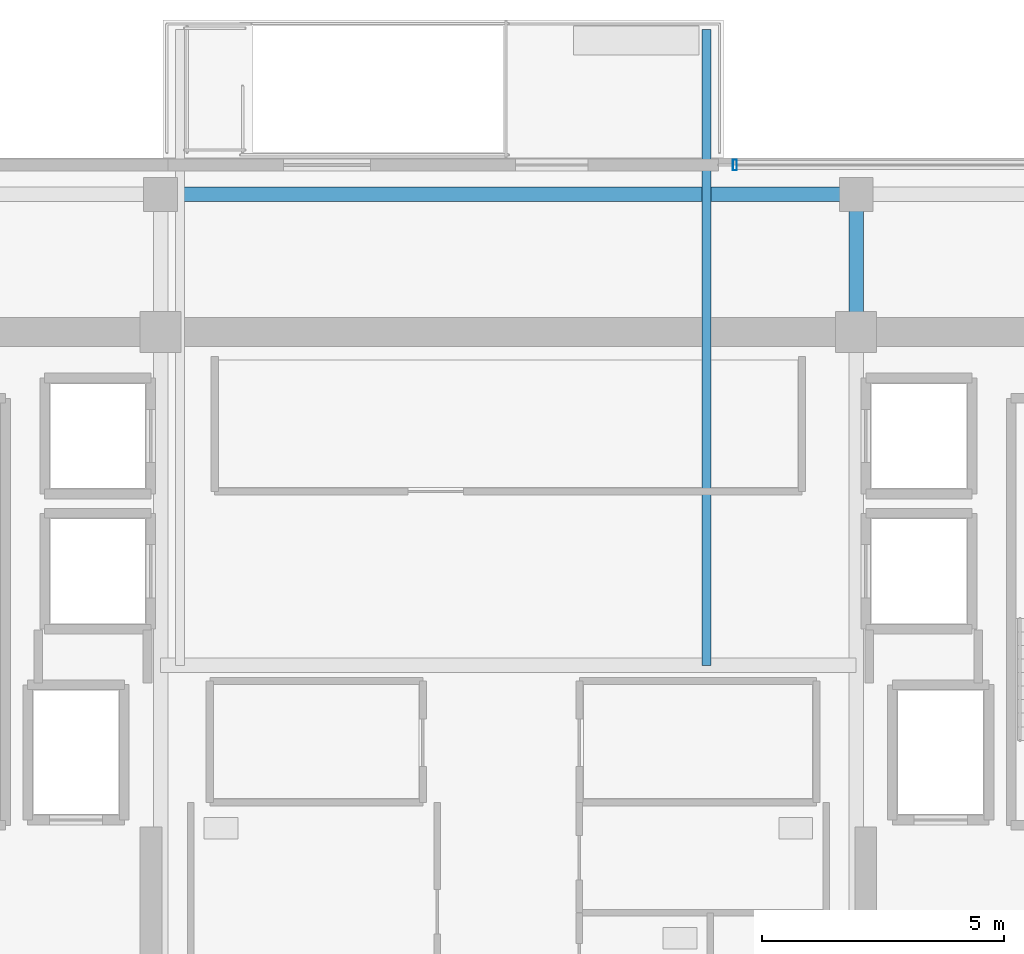
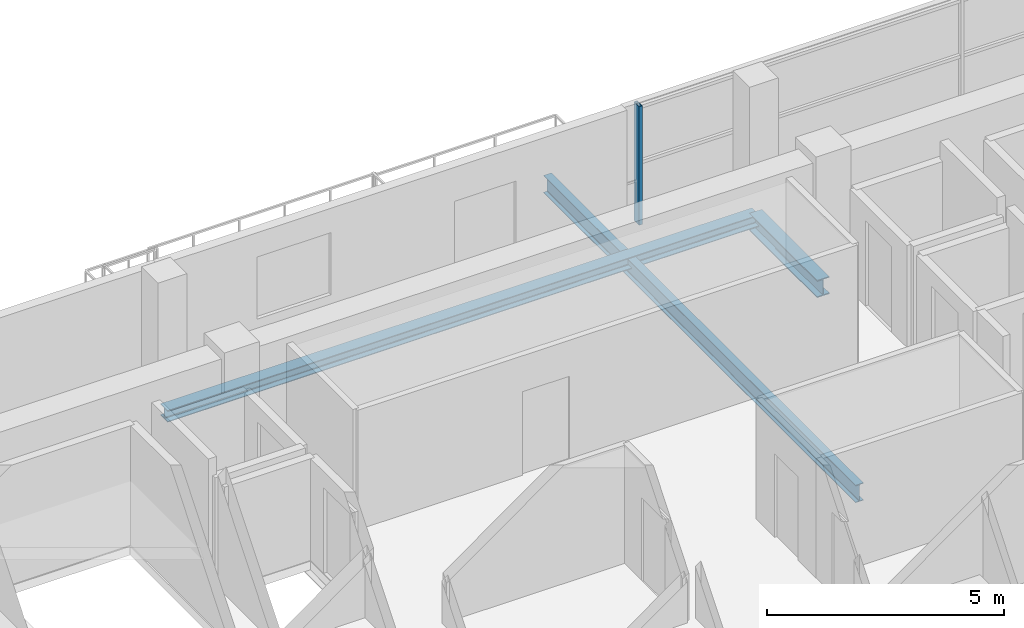
# One storey, part 12 of 24: 3 beams, 1 member, 1 element without a shape of its own.
"""IFC4 building model written with IfcOpenShell, lengths in metres."""

from ifc_helpers import new_model, si_unit, direction, frame, origin, origin_2d, place, context, subcontext, project, spatial, hollow_rectangle, i_section, extrude, source, transform, mapped, material, layer, layer_set, material_profile, profile_set, type_object, element, aggregate, save


model = new_model("IFC4")

# Units and contexts
model_context = context("Model", 3, precision=1e-05, world=origin(), true_north=direction((0.0, 1.0)))
body_context = subcontext(model_context, "Body", "Model", "MODEL_VIEW")
ifc_project = project(units=[si_unit("LENGTHUNIT", "METRE"), si_unit("AREAUNIT", "SQUARE_METRE"), si_unit("VOLUMEUNIT", "CUBIC_METRE"), si_unit("PLANEANGLEUNIT", "RADIAN"), si_unit("MASSUNIT", "GRAM", prefix="KILO")], contexts=[model_context])

# Site, building, storey
site_placement = place(None, origin())
site = spatial("IfcSite", under=ifc_project, at=site_placement, CompositionType="ELEMENT")
building_placement = place(site_placement, origin())
building = spatial("IfcBuilding", under=site, at=building_placement, Name="Zarnakvel Exchange Tower", CompositionType="ELEMENT")
storey_placement = place(building_placement, frame((0.0, 0.0, 235.300048828125)))
storey = spatial("IfcBuildingStorey", under=building, at=storey_placement, Name="L66", CompositionType="ELEMENT", Elevation=235.300048828125)

# Beams
ifc_material_1 = material(Name="Steel S355", Category="steel")
ifc_material_profile_1 = material_profile(ifc_material_1, i_section(OverallWidth=0.18994140625, OverallDepth=0.449951171875, WebThickness=0.009521484375, FlangeThickness=0.0146484375, FilletRadius=0.02099609375, at=origin_2d()))
ifc_profile_set_1 = profile_set([ifc_material_profile_1], Name="Steel S355")
beam_type_1 = type_object("IfcBeamType", Name="B-05", PredefinedType="JOIST", material=ifc_profile_set_1)
beam_1_placement = place(storey_placement, frame((4.10009765625, 6.60009765625, -0.47509765625), z_axis=(0.0, 1.0, 0.0), x_axis=(-1.0, 0.0, 0.0)))
element("IfcBeam", 1, at=beam_1_placement, inside=storey, type_object=beam_type_1, Name="L66 Continuous North Spiral Terrace Beam E", PredefinedType="JOIST", context=body_context, shape_type="SweptSolid", body=[
    extrude(i_section(OverallWidth=0.18994140625, OverallDepth=0.449951171875, WebThickness=0.009521484375, FlangeThickness=0.0146484375, FilletRadius=0.02099609375, at=origin_2d()), origin(), (0.0, 0.0, 1.0), 13.159912109375),
])
ifc_material_profile_2 = material_profile(ifc_material_1, i_section(OverallWidth=0.300048828125, OverallDepth=0.449951171875, WebThickness=0.013916015625, FlangeThickness=0.02587890625, FilletRadius=0.027099609375, at=origin_2d()))
ifc_profile_set_2 = profile_set([ifc_material_profile_2], Name="Steel S355")
beam_type_2 = type_object("IfcBeamType", Name="G-07", PredefinedType="BEAM", material=ifc_profile_set_2)
beam_2_placement = place(storey_placement, frame((7.199951171875, 13.5, -0.449951171875), z_axis=(0.0, 1.0, 0.0), x_axis=(-1.0, 0.0, 0.0)))
element("IfcBeam", 2, at=beam_2_placement, inside=storey, type_object=beam_type_2, Name="L66 Tower N-S Frame Beam", PredefinedType="BEAM", context=body_context, shape_type="SweptSolid", body=[
    extrude(i_section(OverallWidth=0.300048828125, OverallDepth=0.449951171875, WebThickness=0.013916015625, FlangeThickness=0.02587890625, FilletRadius=0.027099609375, at=origin_2d()), origin(), (0.0, 0.0, 1.0), 2.85009765625),
])
ifc_material_profile_3 = material_profile(ifc_material_1, i_section(OverallWidth=0.300048828125, OverallDepth=0.300048828125, WebThickness=0.010986328125, FlangeThickness=0.01904296875, FilletRadius=0.027099609375, at=origin_2d()))
ifc_profile_set_3 = profile_set([ifc_material_profile_3], Name="Steel S355")
beam_type_3 = type_object("IfcBeamType", Name="SP-03", PredefinedType="SPANDREL", material=ifc_profile_set_3)
beam_3_placement = place(storey_placement, frame((-7.199951171875, 16.35009765625, -0.375), z_axis=(1.0, 0.0, 0.0), x_axis=(0.0, 1.0, 0.0)))
element("IfcBeam", 3, at=beam_3_placement, inside=storey, type_object=beam_type_3, Name="L66 Tower E-W Frame Beam", PredefinedType="SPANDREL", context=body_context, shape_type="SweptSolid", body=[
    extrude(i_section(OverallWidth=0.300048828125, OverallDepth=0.300048828125, WebThickness=0.010986328125, FlangeThickness=0.01904296875, FilletRadius=0.027099609375, at=origin_2d()), origin(), (0.0, 0.0, 1.0), 14.39990234375),
])

# Curtain wall, member
ifc_material_2 = material(Name="Architectural Bronze Anodised Aluminium", Category="aluminium")
ifc_layer = layer(ifc_material_2, 0.219970703125)
ifc_layer_set = layer_set([ifc_layer], Name="Architectural Bronze Anodised Aluminium")
curtain_wall_type = type_object("IfcCurtainWallType", Name="CW-03", PredefinedType="NOTDEFINED", material=ifc_layer_set)
curtain_wall_placement = place(storey_placement, origin())
curtain_wall = element("IfcCurtainWall", 4, at=curtain_wall_placement, inside=storey, type_object=curtain_wall_type, Name="L66 Curtain Wall CW-L66-N1 (CW-03)", PredefinedType="NOTDEFINED")
ifc_material_profile_4 = material_profile(ifc_material_2, hollow_rectangle(XDim=0.219970703125, YDim=0.080078125, WallThickness=0.0048828125, at=origin_2d()))
ifc_profile_set_4 = profile_set([ifc_material_profile_4], Name="Architectural Bronze Anodised Aluminium")
member_type = type_object("IfcMemberType", Name="CWM-03", PredefinedType="MULLION", material=ifc_profile_set_4)
shared_shape = source(origin(), body_context, "Body", "SweptSolid", [
    extrude(hollow_rectangle(XDim=0.219970703125, YDim=0.080078125, WallThickness=0.0048828125, at=origin_2d()), origin(), (0.0, 0.0, 1.0), 3.054931640625),
])
member_placement = place(storey_placement, frame((4.68994140625, 16.9599609375, 0.0), z_axis=(0.0, 0.0, 1.0), x_axis=(0.0, 1.0, 0.0)))
member = element("IfcMember", 5, at=member_placement, type_object=member_type, Name="CW-03 mullion 1", PredefinedType="MULLION", context=body_context, shape_type="MappedRepresentation", body=[
    mapped(shared_shape, transform((0.0, 0.0, 0.0), x_axis=(1.0, 0.0, 0.0), y_axis=(0.0, 1.0, 0.0), z_axis=(0.0, 0.0, 1.0), scale=1.0)),
])
aggregate(curtain_wall, [member])

save(model, "model.ifc")
